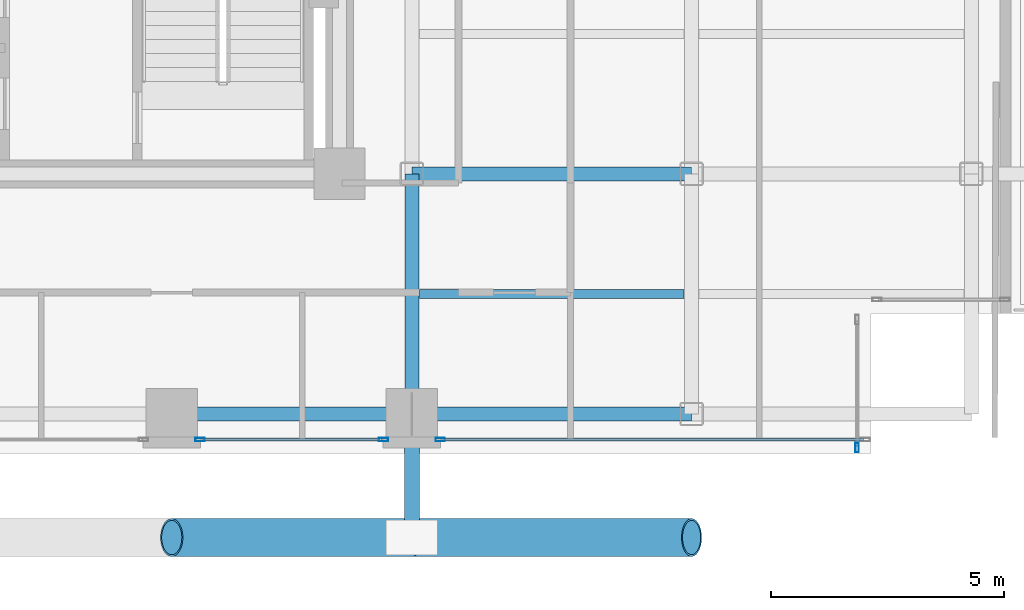
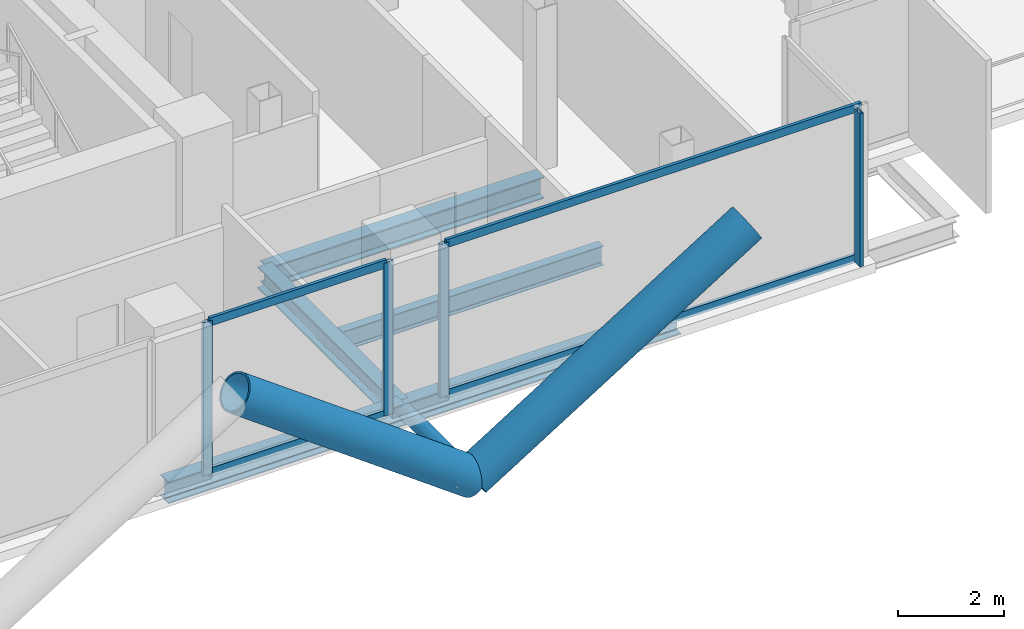
# One storey, part 9 of 26: 11 members, 5 beams, 3 elements without a shape of their own.
"""IFC4 building model written with IfcOpenShell, lengths in metres."""

from ifc_helpers import new_model, si_unit, direction, frame, origin, origin_2d, place, context, subcontext, project, spatial, hollow_rectangle, hollow_circle, i_section, extrude, material, layer, layer_set, material_profile, profile_set, type_object, element, aggregate, save


model = new_model("IFC4")

# Units and contexts
model_context = context("Model", 3, precision=1e-05, world=origin(), true_north=direction((0.0, 1.0)))
body_context = subcontext(model_context, "Body", "Model", "MODEL_VIEW")
ifc_project = project(units=[si_unit("LENGTHUNIT", "METRE"), si_unit("AREAUNIT", "SQUARE_METRE"), si_unit("VOLUMEUNIT", "CUBIC_METRE"), si_unit("PLANEANGLEUNIT", "RADIAN"), si_unit("MASSUNIT", "GRAM", prefix="KILO"), si_unit("THERMODYNAMICTEMPERATUREUNIT", "KELVIN"), si_unit("POWERUNIT", "WATT")], contexts=[model_context])

# Site, building, storey
site_placement = place(None, origin())
site = spatial("IfcSite", under=ifc_project, at=site_placement, CompositionType="ELEMENT")
building_placement = place(site_placement, origin())
building = spatial("IfcBuilding", under=site, at=building_placement, Name="Svarakhadi Broadcast Tower", CompositionType="ELEMENT")
storey_placement = place(building_placement, frame((0.0, 0.0, 99.60009765625)))
storey = spatial("IfcBuildingStorey", under=building, at=storey_placement, Name="L23", CompositionType="ELEMENT", Elevation=99.60009765625)

# Beam
ifc_material_1 = material(Name="Steel S355J2 (IS 2062 E350C)", Category="steel")
ifc_material_profile_1 = material_profile(ifc_material_1, i_section(OverallWidth=0.18994140625, OverallDepth=0.449951171875, WebThickness=0.009521484375, FlangeThickness=0.0146484375, FilletRadius=0.02099609375, at=origin_2d()), Name="NPB 450x190x78")
ifc_profile_set_1 = profile_set([ifc_material_profile_1], Name="Steel S355J2 (IS 2062 E350C)")
beam_type_1 = type_object("IfcBeamType", Name="Beam_NPB450", PredefinedType="BEAM", material=ifc_profile_set_1)
beam_1_placement = place(storey_placement, frame((35.31005859375, 3.425048828125, -0.4501953125), z_axis=(1.0, 0.0, 0.0), x_axis=(0.0, 1.0, 0.0)))
element("IfcBeam", 1, at=beam_1_placement, inside=storey, type_object=beam_type_1, Name="L23 Secondary Composite Beam SB020", PredefinedType="BEAM", context=body_context, shape_type="SweptSolid", body=[
    extrude(i_section(OverallWidth=0.18994140625, OverallDepth=0.449951171875, WebThickness=0.009521484375, FlangeThickness=0.0146484375, FilletRadius=0.02099609375, at=origin_2d()), origin(), (0.0, 0.0, 1.0), 5.679931640625),
])

# Curtain wall, member
ifc_material_2 = material(Name="Anodised Bronze Aluminium AA 6063-T6", Category="aluminium")
ifc_layer = layer(ifc_material_2, 0.199951171875)
ifc_layer_set = layer_set([ifc_layer], Name="Anodised Bronze Aluminium AA 6063-T6")
curtain_wall_type = type_object("IfcCurtainWallType", Name="CW_Sys_03", PredefinedType="NOTDEFINED", material=ifc_layer_set)
curtain_wall_1_placement = place(storey_placement, origin())
curtain_wall_1 = element("IfcCurtainWall", 2, at=curtain_wall_1_placement, inside=storey, type_object=curtain_wall_type, Name="L23 Unitised Facade Curtain Wall 13", PredefinedType="NOTDEFINED")
ifc_material_profile_2 = material_profile(ifc_material_2, hollow_rectangle(XDim=0.074951171875, YDim=0.199951171875, WallThickness=0.005615234375, at=origin_2d()), Name="ALU MULLION 200x75x6")
ifc_profile_set_2 = profile_set([ifc_material_profile_2], Name="Anodised Bronze Aluminium AA 6063-T6")
member_type_1 = type_object("IfcMemberType", Name="CW_Sys_03_Mul", PredefinedType="MULLION", material=ifc_profile_set_2)
member_1_placement = place(storey_placement, frame((44.699951171875, 0.12744140625, 0.0), z_axis=(0.0, 0.0, 1.0), x_axis=(1.0, 0.0, 0.0)))
member_1 = element("IfcMember", 3, at=member_1_placement, type_object=member_type_1, Name="CW-03 mullion 2", PredefinedType="MULLION", context=body_context, shape_type="SweptSolid", body=[
    extrude(hollow_rectangle(XDim=0.074951171875, YDim=0.199951171875, WallThickness=0.005615234375, at=origin_2d()), origin(), (0.0, 0.0, 1.0), 3.52490234375),
])
aggregate(curtain_wall_1, [member_1])

curtain_wall_2_placement = place(storey_placement, origin())
curtain_wall_2 = element("IfcCurtainWall", 4, at=curtain_wall_2_placement, inside=storey, type_object=curtain_wall_type, Name="L23 South Curtain Wall 14 Bay 1", PredefinedType="NOTDEFINED")
member_2_placement = place(storey_placement, frame((35.757568359375, 0.300048828125, 0.0), z_axis=(0.0, 0.0, 1.0), x_axis=(0.0, -1.0, 0.0)))
member_2 = element("IfcMember", 5, at=member_2_placement, type_object=member_type_1, Name="CW-03 mullion 2", PredefinedType="MULLION", context=body_context, shape_type="SweptSolid", body=[
    extrude(hollow_rectangle(XDim=0.074951171875, YDim=0.199951171875, WallThickness=0.005615234375, at=origin_2d()), origin(), (0.0, 0.0, 1.0), 3.52490234375),
])

# Curtain wall, members
curtain_wall_3_placement = place(storey_placement, origin())
curtain_wall_3 = element("IfcCurtainWall", 6, at=curtain_wall_3_placement, inside=storey, type_object=curtain_wall_type, Name="L23 South Curtain Wall 14 Bay 2", PredefinedType="NOTDEFINED")
member_3_placement = place(storey_placement, frame((34.54248046875, 0.300048828125, 0.0), z_axis=(0.0, 0.0, 1.0), x_axis=(0.0, -1.0, 0.0)))
member_3 = element("IfcMember", 7, at=member_3_placement, type_object=member_type_1, Name="CW-03 mullion 1", PredefinedType="MULLION", context=body_context, shape_type="SweptSolid", body=[
    extrude(hollow_rectangle(XDim=0.074951171875, YDim=0.199951171875, WallThickness=0.005615234375, at=origin_2d()), origin(), (0.0, 0.0, 1.0), 3.52490234375),
])
member_4_placement = place(storey_placement, frame((30.607421875, 0.300048828125, 0.0), z_axis=(0.0, 0.0, 1.0), x_axis=(0.0, -1.0, 0.0)))
member_4 = element("IfcMember", 8, at=member_4_placement, type_object=member_type_1, Name="CW-03 mullion 2", PredefinedType="MULLION", context=body_context, shape_type="SweptSolid", body=[
    extrude(hollow_rectangle(XDim=0.074951171875, YDim=0.199951171875, WallThickness=0.005615234375, at=origin_2d()), origin(), (0.0, 0.0, 1.0), 3.52490234375),
])

# Member
ifc_material_profile_3 = material_profile(ifc_material_2, hollow_rectangle(XDim=0.070068359375, YDim=0.18505859375, WallThickness=0.0048828125, at=origin_2d()), Name="ALU TRANSOM 185x70x5")
ifc_profile_set_3 = profile_set([ifc_material_profile_3], Name="Anodised Bronze Aluminium AA 6063-T6")
member_type_2 = type_object("IfcMemberType", Name="CW_Sys_03_Trn", PredefinedType="USERDEFINED", material=ifc_profile_set_3)
member_5_placement = place(storey_placement, frame((44.8349609375, 0.300048828125, 0.034912109375), z_axis=(-1.0, 0.0, 0.0), x_axis=(0.0, -1.0, 0.0)))
member_5 = element("IfcMember", 9, at=member_5_placement, type_object=member_type_2, Name="CW-03 transom 1.1", ObjectType="TRANSOM", PredefinedType="USERDEFINED", context=body_context, shape_type="SweptSolid", body=[
    extrude(hollow_rectangle(XDim=0.070068359375, YDim=0.18505859375, WallThickness=0.0048828125, at=origin_2d()), origin(), (0.0, 0.0, 1.0), 9.0400390625),
])

member_6_placement = place(storey_placement, frame((44.8349609375, 0.300048828125, 3.489990234375), z_axis=(-1.0, 0.0, 0.0), x_axis=(0.0, -1.0, 0.0)))
member_6 = element("IfcMember", 10, at=member_6_placement, type_object=member_type_2, Name="CW-03 transom 1.2", ObjectType="TRANSOM", PredefinedType="USERDEFINED", context=body_context, shape_type="SweptSolid", body=[
    extrude(hollow_rectangle(XDim=0.070068359375, YDim=0.18505859375, WallThickness=0.0048828125, at=origin_2d()), origin(), (0.0, 0.0, 1.0), 9.0400390625),
])

aggregate(curtain_wall_2, [member_2, member_5, member_6])

member_7_placement = place(storey_placement, frame((34.5048828125, 0.300048828125, 0.034912109375), z_axis=(-1.0, 0.0, 0.0), x_axis=(0.0, -1.0, 0.0)))
member_7 = element("IfcMember", 11, at=member_7_placement, type_object=member_type_2, Name="CW-03 transom 1.1", ObjectType="TRANSOM", PredefinedType="USERDEFINED", context=body_context, shape_type="SweptSolid", body=[
    extrude(hollow_rectangle(XDim=0.070068359375, YDim=0.18505859375, WallThickness=0.0048828125, at=origin_2d()), origin(), (0.0, 0.0, 1.0), 3.85986328125),
])

member_8_placement = place(storey_placement, frame((34.5048828125, 0.300048828125, 3.489990234375), z_axis=(-1.0, 0.0, 0.0), x_axis=(0.0, -1.0, 0.0)))
member_8 = element("IfcMember", 12, at=member_8_placement, type_object=member_type_2, Name="CW-03 transom 1.2", ObjectType="TRANSOM", PredefinedType="USERDEFINED", context=body_context, shape_type="SweptSolid", body=[
    extrude(hollow_rectangle(XDim=0.070068359375, YDim=0.18505859375, WallThickness=0.0048828125, at=origin_2d()), origin(), (0.0, 0.0, 1.0), 3.85986328125),
])

aggregate(curtain_wall_3, [member_3, member_4, member_7, member_8])

# Members
ifc_material_3 = material(Name="Steel S460ML (IS 2062 E450BR)", Category="steel")
ifc_material_profile_4 = material_profile(ifc_material_3, hollow_circle(Radius=0.406494140625, WallThickness=0.0400390625, at=origin_2d()), Name="CHS 813x40")
ifc_profile_set_4 = profile_set([ifc_material_profile_4], Name="Steel S460ML (IS 2062 E450BR)")
member_type_3 = type_object("IfcMemberType", Name="Exo_Brace_CHS813", PredefinedType="BRACE", material=ifc_profile_set_4)
member_9_placement = place(storey_placement, frame((35.14990234375, -1.800048828125, -0.386962890625), z_axis=(-0.808391243061, 0.0, 0.588645562407), x_axis=(0.0, -1.0, 0.0)))
element("IfcMember", 13, at=member_9_placement, inside=storey, type_object=member_type_3, Name="L23 Exposed Bronze Exoskeleton Diagonal S02", PredefinedType="BRACE", context=body_context, shape_type="SweptSolid", body=[
    extrude(hollow_circle(Radius=0.406494140625, WallThickness=0.0400390625, at=origin_2d()), origin(), (0.0, 0.0, 1.0), 6.37060546875),
])
member_10_placement = place(storey_placement, frame((35.14990234375, -1.800048828125, -0.386962890625), z_axis=(0.847998304005, 0.0, 0.529998940003), x_axis=(0.0, 1.0, 0.0)))
element("IfcMember", 14, at=member_10_placement, inside=storey, type_object=member_type_3, Name="L23 Exposed Bronze Exoskeleton Diagonal S03", PredefinedType="BRACE", context=body_context, shape_type="SweptSolid", body=[
    extrude(hollow_circle(Radius=0.406494140625, WallThickness=0.0400390625, at=origin_2d()), origin(), (0.0, 0.0, 1.0), 7.075439453125),
])
ifc_material_profile_5 = material_profile(ifc_material_3, hollow_circle(Radius=0.161865234375, WallThickness=0.01611328125, at=origin_2d()), Name="CHS 323.9x16")
ifc_profile_set_5 = profile_set([ifc_material_profile_5], Name="Steel S460ML (IS 2062 E450BR)")
member_type_4 = type_object("IfcMemberType", Name="Exo_Radial_Strut_Z2", PredefinedType="STRUT", material=ifc_profile_set_5)
member_11_placement = place(storey_placement, frame((35.14990234375, -1.800048828125, -0.386962890625), z_axis=(0.0, 1.0, 0.0), x_axis=(-1.0, 0.0, 0.0)))
element("IfcMember", 15, at=member_11_placement, inside=storey, type_object=member_type_4, Name="L23 Exoskeleton Radial Tie Strut S03", PredefinedType="STRUT", context=body_context, shape_type="SweptSolid", body=[
    extrude(hollow_circle(Radius=0.161865234375, WallThickness=0.01611328125, at=origin_2d()), origin(), (0.0, 0.0, 1.0), 2.650146484375),
])

# Beams
ifc_material_profile_6 = material_profile(ifc_material_1, i_section(OverallWidth=0.300048828125, OverallDepth=0.5, WebThickness=0.014404296875, FlangeThickness=0.028076171875, FilletRadius=0.027099609375, at=origin_2d()), Name="WPB 500x300x187")
ifc_profile_set_6 = profile_set([ifc_material_profile_6], Name="Steel S355J2 (IS 2062 E350C)")
beam_type_2 = type_object("IfcBeamType", Name="Girder_WPB500", PredefinedType="USERDEFINED", material=ifc_profile_set_6)
beam_2_placement = place(storey_placement, frame((30.0, 0.85009765625, -0.47509765625), z_axis=(1.0, 0.0, 0.0), x_axis=(0.0, 1.0, 0.0)))
element("IfcBeam", 16, at=beam_2_placement, inside=storey, type_object=beam_type_2, Name="L23 Primary E-W Girder G008", ObjectType="GIRDER", PredefinedType="USERDEFINED", context=body_context, shape_type="SweptSolid", body=[
    extrude(i_section(OverallWidth=0.300048828125, OverallDepth=0.5, WebThickness=0.014404296875, FlangeThickness=0.028076171875, FilletRadius=0.027099609375, at=origin_2d()), origin(), (0.0, 0.0, 1.0), 5.14990234375),
])
for number, where, z_axis, x_axis, name in (
    (17, (35.14990234375, 0.85009765625, -0.47509765625), (1.0, 0.0, 0.0), (0.0, 1.0, 0.0), "L23 Primary E-W Girder G009"),
    (18, (35.14990234375, 6.0, -0.47509765625), (1.0, 0.0, 0.0), (0.0, 1.0, 0.0), "L23 Primary E-W Girder G016"),
):
    element("IfcBeam", number, at=place(storey_placement, frame(where, z_axis=z_axis, x_axis=x_axis)), inside=storey, type_object=beam_type_2, Name=name, ObjectType="GIRDER", PredefinedType="USERDEFINED", context=body_context, shape_type="SweptSolid", body=[
        extrude(i_section(OverallWidth=0.300048828125, OverallDepth=0.5, WebThickness=0.014404296875, FlangeThickness=0.028076171875, FilletRadius=0.027099609375, at=origin_2d()), origin(), (0.0, 0.0, 1.0), 6.0),
    ])
beam_3_placement = place(storey_placement, frame((35.14990234375, 0.85009765625, -0.47509765625), z_axis=(0.0, 1.0, 0.0), x_axis=(-1.0, 0.0, 0.0)))
element("IfcBeam", 19, at=beam_3_placement, inside=storey, type_object=beam_type_2, Name="L23 Primary N-S Girder G070", ObjectType="GIRDER", PredefinedType="USERDEFINED", context=body_context, shape_type="SweptSolid", body=[
    extrude(i_section(OverallWidth=0.300048828125, OverallDepth=0.5, WebThickness=0.014404296875, FlangeThickness=0.028076171875, FilletRadius=0.027099609375, at=origin_2d()), origin(), (0.0, 0.0, 1.0), 5.14990234375),
])

save(model, "model.ifc")
